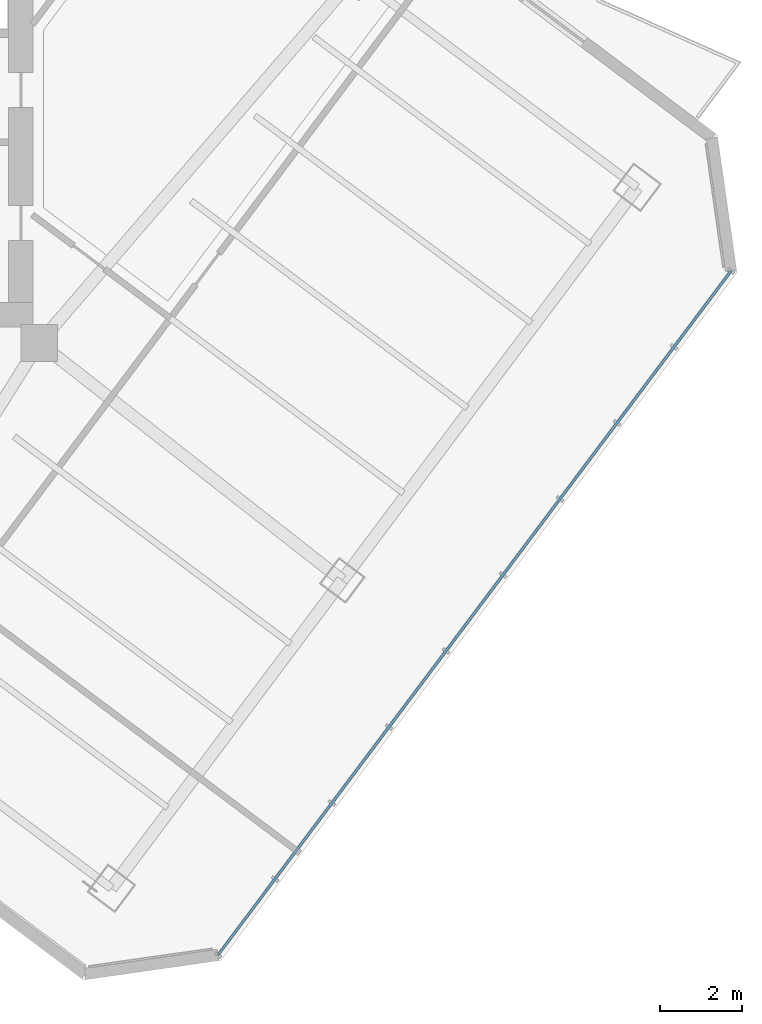
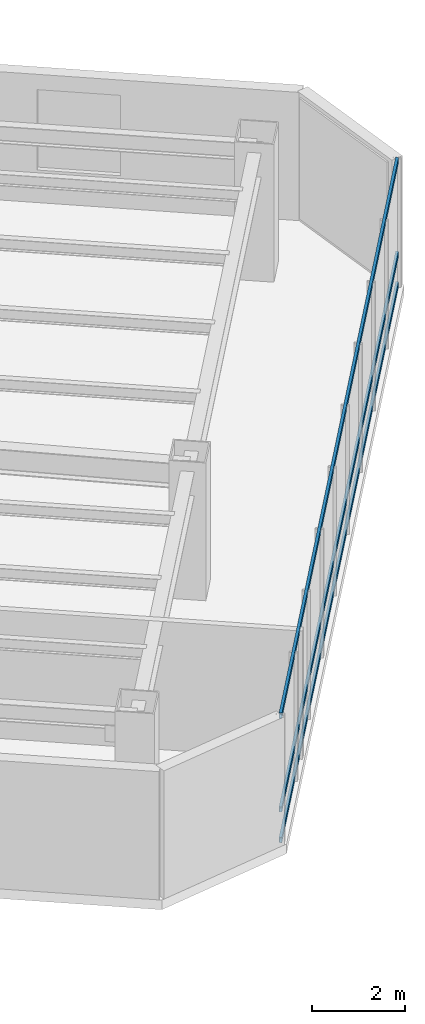
# One storey, part 12 of 26: 3 members, 1 element without a shape of its own.
"""IFC4 building model written with IfcOpenShell, lengths in metres."""

from ifc_helpers import new_model, si_unit, direction, frame, origin, origin_2d, place, context, subcontext, project, spatial, hollow_rectangle, extrude, material, layer, layer_set, material_profile, profile_set, type_object, element, aggregate, save


model = new_model("IFC4")

# Units and contexts
model_context = context("Model", 3, precision=1e-05, world=origin(), true_north=direction((0.0, 1.0)))
body_context = subcontext(model_context, "Body", "Model", "MODEL_VIEW")
ifc_project = project(units=[si_unit("LENGTHUNIT", "METRE"), si_unit("AREAUNIT", "SQUARE_METRE"), si_unit("VOLUMEUNIT", "CUBIC_METRE"), si_unit("PLANEANGLEUNIT", "RADIAN"), si_unit("MASSUNIT", "GRAM", prefix="KILO")], contexts=[model_context])

# Site, building, storey
site_placement = place(None, origin())
site = spatial("IfcSite", under=ifc_project, at=site_placement, CompositionType="ELEMENT")
building_placement = place(site_placement, origin())
building = spatial("IfcBuilding", under=site, at=building_placement, Name="Hatsunagi Terrace Concourse", CompositionType="ELEMENT")
storey_placement = place(building_placement, frame((0.0, 0.0, 152.85009765625)))
storey = spatial("IfcBuildingStorey", under=building, at=storey_placement, Name="L40", CompositionType="ELEMENT", Elevation=152.85009765625)

# Curtain wall, members
ifc_material_1 = material(Name="Anodised Aluminium Alloy 6063-T5", Category="aluminium")
ifc_layer = layer(ifc_material_1, 0.199951171875)
ifc_layer_set = layer_set([ifc_layer], Name="OfficeZone1_CW03")
curtain_wall_type = type_object("IfcCurtainWallType", Name="OfficeZone1_CW03", PredefinedType="NOTDEFINED", material=ifc_layer_set)
curtain_wall_placement = place(storey_placement, origin())
curtain_wall = element("IfcCurtainWall", 1, at=curtain_wall_placement, inside=storey, type_object=curtain_wall_type, Name="Unitised Curtain Wall CW-03 CW-L40-03", PredefinedType="NOTDEFINED")
ifc_material_2 = material(Name="Anodised Aluminium Alloy 6063-T5", Category="aluminium")
ifc_material_profile = material_profile(ifc_material_2, hollow_rectangle(XDim=0.06494140625, YDim=0.139892578125, WallThickness=0.00390625, at=origin_2d()), Name="ALU-TRN-140x65x4")
ifc_profile_set = profile_set([ifc_material_profile], Name="Anodised Aluminium Alloy 6063-T5")
member_type = type_object("IfcMemberType", Name="CurtainWallTransom_140x65", PredefinedType="USERDEFINED", material=ifc_profile_set)
member_1_placement = place(storey_placement, frame((60.693115234375, 25.9580078125, 0.0498046875), z_axis=(-0.599970072971, -0.800022444397, 0.0), x_axis=(0.800022444397, -0.599970072971, 0.0)))
member_1 = element("IfcMember", 2, at=member_1_placement, type_object=member_type, Name="Curtain Wall Transom TRN-02", ObjectType="TRANSOM", PredefinedType="USERDEFINED", context=body_context, shape_type="SweptSolid", body=[
    extrude(hollow_rectangle(XDim=0.06494140625, YDim=0.139892578125, WallThickness=0.00390625, at=origin_2d()), origin(), (0.0, 0.0, 1.0), 20.884521484375),
])
member_2_placement = place(storey_placement, frame((60.693115234375, 25.9580078125, 0.849853515625), z_axis=(-0.599970072971, -0.800022444397, 0.0), x_axis=(0.800022444397, -0.599970072971, 0.0)))
member_2 = element("IfcMember", 3, at=member_2_placement, type_object=member_type, Name="Curtain Wall Transom TRN-02", ObjectType="TRANSOM", PredefinedType="USERDEFINED", context=body_context, shape_type="SweptSolid", body=[
    extrude(hollow_rectangle(XDim=0.06494140625, YDim=0.139892578125, WallThickness=0.00390625, at=origin_2d()), origin(), (0.0, 0.0, 1.0), 20.884521484375),
])
member_3_placement = place(storey_placement, frame((60.693115234375, 25.9580078125, 3.2998046875), z_axis=(-0.599970072971, -0.800022444397, 0.0), x_axis=(0.800022444397, -0.599970072971, 0.0)))
member_3 = element("IfcMember", 4, at=member_3_placement, type_object=member_type, Name="Curtain Wall Transom TRN-02", ObjectType="TRANSOM", PredefinedType="USERDEFINED", context=body_context, shape_type="SweptSolid", body=[
    extrude(hollow_rectangle(XDim=0.06494140625, YDim=0.139892578125, WallThickness=0.00390625, at=origin_2d()), origin(), (0.0, 0.0, 1.0), 20.884521484375),
])
aggregate(curtain_wall, [member_1, member_2, member_3])

save(model, "model.ifc")
